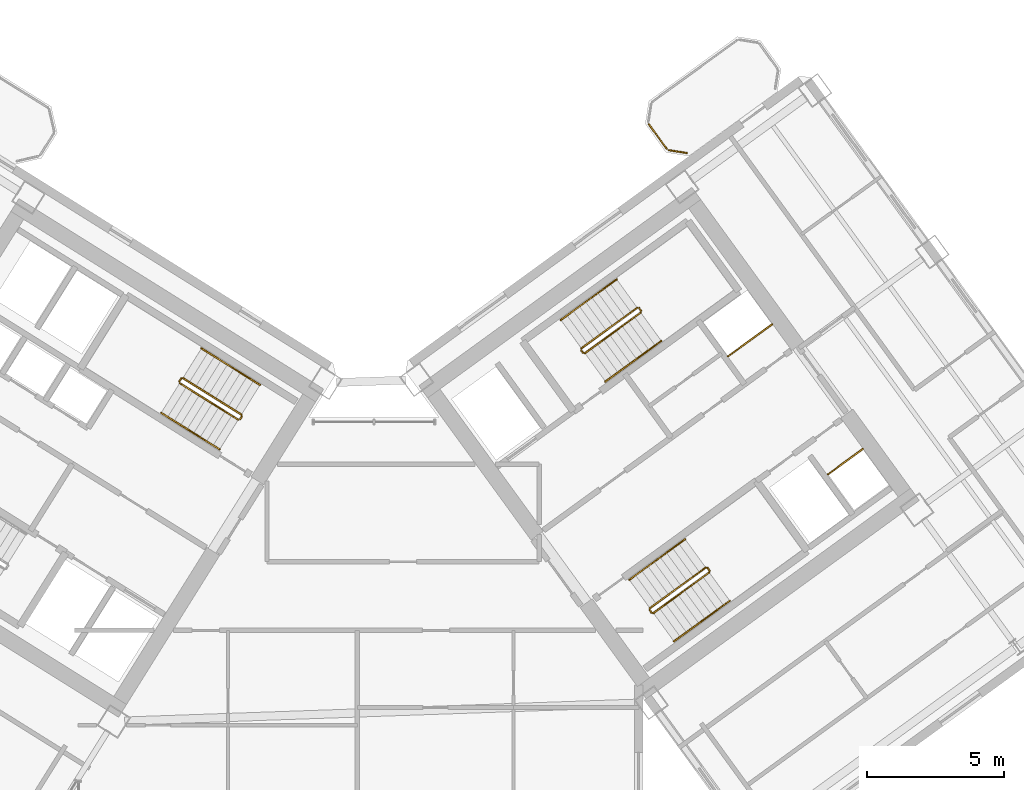
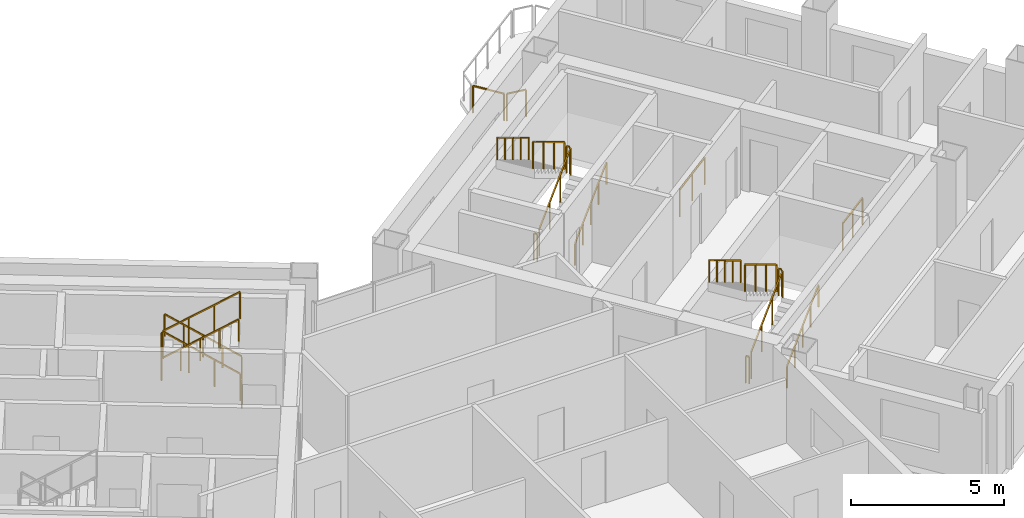
# One storey, part 24 of 25: 28 railings.
"""IFC4 building model written with IfcOpenShell, lengths in metres."""

from ifc_helpers import new_model, si_unit, direction, frame, origin, origin_2d, place, context, subcontext, project, spatial, rectangle, extrude, source, transform, mapped, material, type_object, element, save


model = new_model("IFC4")

# Units and contexts
model_context = context("Model", 3, precision=1e-05, world=origin(), true_north=direction((0.0, 1.0)))
body_context = subcontext(model_context, "Body", "Model", "MODEL_VIEW")
ifc_project = project(units=[si_unit("LENGTHUNIT", "METRE"), si_unit("AREAUNIT", "SQUARE_METRE"), si_unit("VOLUMEUNIT", "CUBIC_METRE"), si_unit("PLANEANGLEUNIT", "RADIAN"), si_unit("MASSUNIT", "GRAM", prefix="KILO")], contexts=[model_context])

# Site, building, storey
site_placement = place(None, origin())
site = spatial("IfcSite", under=ifc_project, at=site_placement, CompositionType="ELEMENT")
building_placement = place(site_placement, origin())
building = spatial("IfcBuilding", under=site, at=building_placement, Name="Tlacorven Tower", CompositionType="ELEMENT")
storey_placement = place(building_placement, frame((0.0, 0.0, 162.300048828125)))
storey = spatial("IfcBuildingStorey", under=building, at=storey_placement, Name="L41", CompositionType="ELEMENT", Elevation=162.300048828125)

# Railings
ifc_material = material(Name="Aluminium and painted steel balustrade", Category="steel")
railing_type_1 = type_object("IfcRailingType", Name="RL-GRD-1100", PredefinedType="GUARDRAIL", material=ifc_material)
shared_shape_1 = source(origin(), body_context, "Body", "SweptSolid", [
    extrude(rectangle(XDim=0.048095703125, YDim=0.048095703125, at=origin_2d()), frame((0.0, 0.0, 1.076171875), z_axis=(0.808947177504, 0.587881334972, 0.0), x_axis=(-0.587881334972, 0.808947177504, 0.0)), (0.0, 0.0, 1.0), 2.0),
    extrude(rectangle(XDim=0.0419921875, YDim=0.0419921875, at=origin_2d()), origin(), (0.0, 0.0, 1.0), 1.052001953125),
    extrude(rectangle(XDim=0.0419921875, YDim=0.0419921875, at=origin_2d()), frame((0.80908203125, 0.587890625, 0.0)), (0.0, 0.0, 1.0), 1.052001953125),
    extrude(rectangle(XDim=0.0419921875, YDim=0.0419921875, at=origin_2d()), frame((1.617919921875, 1.17578125, 0.0)), (0.0, 0.0, 1.0), 1.052001953125),
])
railing_1_placement = place(storey_placement, frame((55.506103515625, 25.438232421875, 0.0)))
element("IfcRailing", 1, at=railing_1_placement, inside=storey, type_object=railing_type_1, Name="L41 Electrical Riser E Shaft Guard 1", PredefinedType="GUARDRAIL", context=body_context, shape_type="MappedRepresentation", body=[
    mapped(shared_shape_1, transform((0.0, 0.0, 0.0), scale=1.0)),
])
shared_shape_2 = source(origin(), body_context, "Body", "SweptSolid", [
    extrude(rectangle(XDim=0.048095703125, YDim=0.048095703125, at=origin_2d()), frame((0.0, 0.0, 1.076171875), z_axis=(0.809029975545, 0.58776738483, 0.0), x_axis=(-0.58776738483, 0.809029975545, 0.0)), (0.0, 0.0, 1.0), 1.580078125),
    extrude(rectangle(XDim=0.0419921875, YDim=0.0419921875, at=origin_2d()), origin(), (0.0, 0.0, 1.0), 1.052001953125),
    extrude(rectangle(XDim=0.0419921875, YDim=0.0419921875, at=origin_2d()), frame((0.63916015625, 0.46435546875, 0.0)), (0.0, 0.0, 1.0), 1.052001953125),
    extrude(rectangle(XDim=0.0419921875, YDim=0.0419921875, at=origin_2d()), frame((1.2783203125, 0.9287109375, 0.0)), (0.0, 0.0, 1.0), 1.052001953125),
])
railing_2_placement = place(storey_placement, frame((59.160888671875, 21.122314453125, 0.0)))
element("IfcRailing", 2, at=railing_2_placement, inside=storey, type_object=railing_type_1, Name="L41 Smoke Riser E Shaft Guard 1", PredefinedType="GUARDRAIL", context=body_context, shape_type="MappedRepresentation", body=[
    mapped(shared_shape_2, transform((0.0, 0.0, 0.0), scale=1.0)),
])
railing_type_2 = type_object("IfcRailingType", Name="RL-BAL-1100", PredefinedType="BALUSTRADE", material=ifc_material)
shared_shape_3 = source(origin(), body_context, "Body", "SweptSolid", [
    extrude(rectangle(XDim=0.048095703125, YDim=0.048095703125, at=origin_2d()), frame((0.0, 0.0, 1.076171875), z_axis=(-0.987718317463, 0.156245081039, 0.0), x_axis=(-0.156245081039, -0.987718317463, 0.0)), (0.0, 0.0, 1.0), 0.66552734375),
    extrude(rectangle(XDim=0.0419921875, YDim=0.0419921875, at=origin_2d()), origin(), (0.0, 0.0, 1.0), 1.052001953125),
    extrude(rectangle(XDim=0.0419921875, YDim=0.0419921875, at=origin_2d()), frame((-0.657470703125, 0.10400390625, 0.0)), (0.0, 0.0, 1.0), 1.052001953125),
])
railing_3_placement = place(storey_placement, frame((54.00341796875, 32.8759765625, 0.0)))
element("IfcRailing", 3, at=railing_3_placement, inside=storey, type_object=railing_type_2, Name="BAL-L41-E-IN Guard Railing 1", PredefinedType="BALUSTRADE", context=body_context, shape_type="MappedRepresentation", body=[
    mapped(shared_shape_3, transform((0.0, 0.0, 0.0), scale=1.0)),
])
shared_shape_4 = source(origin(), body_context, "Body", "SweptSolid", [
    extrude(rectangle(XDim=0.048095703125, YDim=0.048095703125, at=origin_2d()), frame((0.0, 0.0, 1.076171875), z_axis=(-0.587740817519, 0.809049276263, 0.0), x_axis=(-0.809049276263, -0.587740817519, 0.0)), (0.0, 0.0, 1.0), 1.112060546875),
    extrude(rectangle(XDim=0.0419921875, YDim=0.0419921875, at=origin_2d()), origin(), (0.0, 0.0, 1.0), 1.052001953125),
    extrude(rectangle(XDim=0.0419921875, YDim=0.0419921875, at=origin_2d()), frame((-0.653564453125, 0.899658203125, 0.0)), (0.0, 0.0, 1.0), 1.052001953125),
])
railing_4_placement = place(storey_placement, frame((53.26708984375, 33.0283203125, 0.0)))
element("IfcRailing", 4, at=railing_4_placement, inside=storey, type_object=railing_type_2, Name="BAL-L41-E-IN Guard Railing 2", PredefinedType="BALUSTRADE", context=body_context, shape_type="MappedRepresentation", body=[
    mapped(shared_shape_4, transform((0.0, 0.0, 0.0), scale=1.0)),
])
shared_shape_5 = source(origin(), body_context, "Body", "SweptSolid", [
    extrude(rectangle(XDim=0.048095703125, YDim=0.048095703125, at=origin_2d()), frame((0.0, 0.0, 1.076171875), z_axis=(-0.713319727316, 0.445773895627, 0.540796265334), x_axis=(-0.529955395941, -0.84802551749, 0.0)), (0.0, 0.0, 1.0), 2.995849609375),
    extrude(rectangle(XDim=0.0419921875, YDim=0.0419921875, at=origin_2d()), origin(), (0.0, 0.0, 1.0), 1.052001953125),
    extrude(rectangle(XDim=0.0419921875, YDim=0.0419921875, at=origin_2d()), frame((-0.71240234375, 0.445068359375, 0.5400390625)), (0.0, 0.0, 1.0), 1.052001953125),
    extrude(rectangle(XDim=0.0419921875, YDim=0.0419921875, at=origin_2d()), frame((-1.424560546875, 0.890380859375, 1.080078125)), (0.0, 0.0, 1.0), 1.052001953125),
    extrude(rectangle(XDim=0.0419921875, YDim=0.0419921875, at=origin_2d()), frame((-2.136962890625, 1.33544921875, 1.6201171875)), (0.0, 0.0, 1.0), 1.052001953125),
])
railing_5_placement = place(storey_placement, frame((37.712158203125, 23.3095703125, 0.179931640625)))
element("IfcRailing", 5, at=railing_5_placement, inside=storey, type_object=railing_type_1, Name="L41 ST-W2 stair guard 1", PredefinedType="GUARDRAIL", context=body_context, shape_type="MappedRepresentation", body=[
    mapped(shared_shape_5, transform((0.0, 0.0, 0.0), scale=1.0)),
])
shared_shape_6 = source(origin(), body_context, "Body", "SweptSolid", [
    extrude(rectangle(XDim=0.048095703125, YDim=0.048095703125, at=origin_2d()), frame((0.0, 0.0, 1.076171875), z_axis=(-0.530546985787, -0.847655529016, 0.0), x_axis=(0.847655529016, -0.530546985787, 0.0)), (0.0, 0.0, 1.0), 0.1201171875),
    extrude(rectangle(XDim=0.0419921875, YDim=0.0419921875, at=origin_2d()), origin(), (0.0, 0.0, 1.0), 1.052001953125),
    extrude(rectangle(XDim=0.0419921875, YDim=0.0419921875, at=origin_2d()), frame((-0.063720703125, -0.101806640625, 0.0)), (0.0, 0.0, 1.0), 1.052001953125),
])
railing_6_placement = place(storey_placement, frame((37.728271484375, 23.24072265625, 0.0)))
element("IfcRailing", 6, at=railing_6_placement, inside=storey, type_object=railing_type_1, Name="L41 ST-W2 stair guard 4", PredefinedType="GUARDRAIL", context=body_context, shape_type="MappedRepresentation", body=[
    mapped(shared_shape_6, transform((0.0, 0.0, 0.0), scale=1.0)),
])
railing_type_3 = type_object("IfcRailingType", Name="RL-HND-0900", PredefinedType="HANDRAIL", material=ifc_material)
shared_shape_7 = source(origin(), body_context, "Body", "SweptSolid", [
    extrude(rectangle(XDim=0.048095703125, YDim=0.048095703125, at=origin_2d()), frame((0.0, 0.0, 0.8759765625), z_axis=(-0.713359751793, 0.4457479829, 0.540764828981), x_axis=(-0.529911857636, -0.848052724267, 0.0)), (0.0, 0.0, 1.0), 1.498046875),
    extrude(rectangle(XDim=0.0419921875, YDim=0.0419921875, at=origin_2d()), origin(), (0.0, 0.0, 1.0), 0.851806640625),
    extrude(rectangle(XDim=0.0419921875, YDim=0.0419921875, at=origin_2d()), frame((-0.5341796875, 0.333984375, 0.405029296875)), (0.0, 0.0, 1.0), 0.851806640625),
    extrude(rectangle(XDim=0.0419921875, YDim=0.0419921875, at=origin_2d()), frame((-1.068603515625, 0.667724609375, 0.81005859375)), (0.0, 0.0, 1.0), 0.851806640625),
])
for number, where, name in (
    (7, (38.390625, 24.39501953125, 0.179931640625), "L41 ST-W2 stair handrail 1"),
    (8, (37.322021484375, 25.062744140625, 0.989990234375), "L41 ST-W2 stair handrail 2"),
):
    element("IfcRailing", number, at=place(storey_placement, frame(where)), inside=storey, type_object=railing_type_3, Name=name, PredefinedType="HANDRAIL", context=body_context, shape_type="MappedRepresentation", body=[
        mapped(shared_shape_7, transform((0.0, 0.0, 0.0), scale=1.0)),
    ])
shared_shape_8 = source(origin(), body_context, "Body", "SweptSolid", [
    extrude(rectangle(XDim=0.048095703125, YDim=0.048095703125, at=origin_2d()), frame((0.0, 0.0, 0.8759765625), z_axis=(0.713359751793, -0.4457479829, 0.540764828981), x_axis=(0.529911857636, 0.848052724267, 0.0)), (0.0, 0.0, 1.0), 1.498046875),
    extrude(rectangle(XDim=0.0419921875, YDim=0.0419921875, at=origin_2d()), origin(), (0.0, 0.0, 1.0), 0.851806640625),
    extrude(rectangle(XDim=0.0419921875, YDim=0.0419921875, at=origin_2d()), frame((0.5341796875, -0.333984375, 0.405029296875)), (0.0, 0.0, 1.0), 0.851806640625),
    extrude(rectangle(XDim=0.0419921875, YDim=0.0419921875, at=origin_2d()), frame((1.068603515625, -0.667724609375, 0.81005859375)), (0.0, 0.0, 1.0), 0.851806640625),
])
railing_7_placement = place(storey_placement, frame((34.7802734375, 23.372802734375, 1.97998046875)))
element("IfcRailing", 9, at=railing_7_placement, inside=storey, type_object=railing_type_3, Name="L41 ST-W2 stair handrail 3", PredefinedType="HANDRAIL", context=body_context, shape_type="MappedRepresentation", body=[
    mapped(shared_shape_8, transform((0.0, 0.0, 0.0), scale=1.0)),
])
shared_shape_9 = source(origin(), body_context, "Body", "SweptSolid", [
    extrude(rectangle(XDim=0.048095703125, YDim=0.048095703125, at=origin_2d()), frame((0.0, 0.0, 0.8759765625), z_axis=(0.713422621445, -0.445787267455, 0.540649494022), x_axis=(0.529911857636, 0.848052724267, 0.0)), (0.0, 0.0, 1.0), 1.497802734375),
    extrude(rectangle(XDim=0.0419921875, YDim=0.0419921875, at=origin_2d()), origin(), (0.0, 0.0, 1.0), 0.851806640625),
    extrude(rectangle(XDim=0.0419921875, YDim=0.0419921875, at=origin_2d()), frame((0.5341796875, -0.333984375, 0.40478515625)), (0.0, 0.0, 1.0), 0.851806640625),
    extrude(rectangle(XDim=0.0419921875, YDim=0.0419921875, at=origin_2d()), frame((1.068603515625, -0.667724609375, 0.809814453125)), (0.0, 0.0, 1.0), 0.851806640625),
])
railing_8_placement = place(storey_placement, frame((35.848876953125, 22.705078125, 2.7900390625)))
element("IfcRailing", 10, at=railing_8_placement, inside=storey, type_object=railing_type_3, Name="L41 ST-W2 stair handrail 4", PredefinedType="HANDRAIL", context=body_context, shape_type="MappedRepresentation", body=[
    mapped(shared_shape_9, transform((0.0, 0.0, 0.0), scale=1.0)),
])
shared_shape_10 = source(origin(), body_context, "Body", "SweptSolid", [
    extrude(rectangle(XDim=0.048095703125, YDim=0.048095703125, at=origin_2d()), frame((0.0, 0.0, 1.076171875), z_axis=(-0.531462422766, -0.847081869236, 0.0), x_axis=(0.847081869236, -0.531462422766, 0.0)), (0.0, 0.0, 1.0), 0.119873046875),
    extrude(rectangle(XDim=0.0419921875, YDim=0.0419921875, at=origin_2d()), origin(), (0.0, 0.0, 1.0), 1.052001953125),
    extrude(rectangle(XDim=0.0419921875, YDim=0.0419921875, at=origin_2d()), frame((-0.063720703125, -0.1015625, 0.0)), (0.0, 0.0, 1.0), 1.052001953125),
])
railing_9_placement = place(storey_placement, frame((35.50634765625, 24.62890625, 1.800048828125)))
element("IfcRailing", 11, at=railing_9_placement, inside=storey, type_object=railing_type_1, Name="L41 ST-W2 stair guard 2", PredefinedType="GUARDRAIL", context=body_context, shape_type="MappedRepresentation", body=[
    mapped(shared_shape_10, transform((0.0, 0.0, 0.0), scale=1.0)),
])
shared_shape_11 = source(origin(), body_context, "Body", "SweptSolid", [
    extrude(rectangle(XDim=0.048095703125, YDim=0.048095703125, at=origin_2d()), frame((0.0, 0.0, 1.076171875), z_axis=(0.713417101326, -0.445702322042, 0.540726806865), x_axis=(0.52984217967, 0.848096259066, 0.0)), (0.0, 0.0, 1.0), 2.995849609375),
    extrude(rectangle(XDim=0.0419921875, YDim=0.0419921875, at=origin_2d()), origin(), (0.0, 0.0, 1.0), 1.052001953125),
    extrude(rectangle(XDim=0.0419921875, YDim=0.0419921875, at=origin_2d()), frame((0.71240234375, -0.445068359375, 0.5400390625)), (0.0, 0.0, 1.0), 1.052001953125),
    extrude(rectangle(XDim=0.0419921875, YDim=0.0419921875, at=origin_2d()), frame((1.4248046875, -0.89013671875, 1.079833984375)), (0.0, 0.0, 1.0), 1.052001953125),
    extrude(rectangle(XDim=0.0419921875, YDim=0.0419921875, at=origin_2d()), frame((2.13720703125, -1.335205078125, 1.619873046875)), (0.0, 0.0, 1.0), 1.052001953125),
])
railing_10_placement = place(storey_placement, frame((35.45849609375, 24.458251953125, 1.97998046875)))
element("IfcRailing", 12, at=railing_10_placement, inside=storey, type_object=railing_type_1, Name="L41 ST-W2 stair guard 3", PredefinedType="GUARDRAIL", context=body_context, shape_type="MappedRepresentation", body=[
    mapped(shared_shape_11, transform((0.0, 0.0, 0.0), scale=1.0)),
])
shared_shape_12 = source(origin(), body_context, "Body", "SweptSolid", [
    extrude(rectangle(XDim=0.048095703125, YDim=0.048095703125, at=origin_2d()), frame((0.0, 0.0, 1.076171875), z_axis=(-0.587567097037, 0.809175448515, 0.0), x_axis=(-0.809175448515, -0.587567097037, 0.0)), (0.0, 0.0, 1.0), 0.1201171875),
    extrude(rectangle(XDim=0.0419921875, YDim=0.0419921875, at=origin_2d()), origin(), (0.0, 0.0, 1.0), 1.052001953125),
    extrude(rectangle(XDim=0.0419921875, YDim=0.0419921875, at=origin_2d()), frame((-0.070556640625, 0.09716796875, 0.0)), (0.0, 0.0, 1.0), 1.052001953125),
])
for number, where, name in (
    (13, (54.8310546875, 17.605712890625, 1.800048828125), "L41 ST-E2 stair guard 2"),
    (14, (52.71142578125, 16.065673828125, 0.0), "L41 ST-E2 stair guard 4"),
):
    element("IfcRailing", number, at=place(storey_placement, frame(where)), inside=storey, type_object=railing_type_1, Name=name, PredefinedType="GUARDRAIL", context=body_context, shape_type="MappedRepresentation", body=[
        mapped(shared_shape_12, transform((0.0, 0.0, 0.0), scale=1.0)),
    ])
shared_shape_13 = source(origin(), body_context, "Body", "SweptSolid", [
    extrude(rectangle(XDim=0.048095703125, YDim=0.048095703125, at=origin_2d()), frame((0.0, 0.0, 1.076171875), z_axis=(-0.587201422542, 0.809440849824, 0.0), x_axis=(-0.809440849824, -0.587201422542, 0.0)), (0.0, 0.0, 1.0), 0.11962890625),
    extrude(rectangle(XDim=0.0419921875, YDim=0.0419921875, at=origin_2d()), origin(), (0.0, 0.0, 1.0), 1.052001953125),
    extrude(rectangle(XDim=0.0419921875, YDim=0.0419921875, at=origin_2d()), frame((-0.0703125, 0.096923828125, 0.0)), (0.0, 0.0, 1.0), 1.052001953125),
])
for number, where, name in (
    (15, (52.326904296875, 27.10888671875, 1.800048828125), "L41 ST-E1 stair guard 2"),
    (16, (50.207275390625, 25.56884765625, 0.0), "L41 ST-E1 stair guard 4"),
):
    element("IfcRailing", number, at=place(storey_placement, frame(where)), inside=storey, type_object=railing_type_1, Name=name, PredefinedType="GUARDRAIL", context=body_context, shape_type="MappedRepresentation", body=[
        mapped(shared_shape_13, transform((0.0, 0.0, 0.0), scale=1.0)),
    ])
shared_shape_14 = source(origin(), body_context, "Body", "SweptSolid", [
    extrude(rectangle(XDim=0.048095703125, YDim=0.048095703125, at=origin_2d()), frame((0.0, 0.0, 1.076171875), z_axis=(0.680488636597, 0.494434078831, 0.540805100894), x_axis=(-0.5878087079, 0.808999952359, 0.0)), (0.0, 0.0, 1.0), 2.995849609375),
    extrude(rectangle(XDim=0.0419921875, YDim=0.0419921875, at=origin_2d()), origin(), (0.0, 0.0, 1.0), 1.052001953125),
    extrude(rectangle(XDim=0.0419921875, YDim=0.0419921875, at=origin_2d()), frame((0.679443359375, 0.49365234375, 0.5400390625)), (0.0, 0.0, 1.0), 1.052001953125),
    extrude(rectangle(XDim=0.0419921875, YDim=0.0419921875, at=origin_2d()), frame((1.359130859375, 0.987548828125, 1.080078125)), (0.0, 0.0, 1.0), 1.052001953125),
    extrude(rectangle(XDim=0.0419921875, YDim=0.0419921875, at=origin_2d()), frame((2.03857421875, 1.481201171875, 1.6201171875)), (0.0, 0.0, 1.0), 1.052001953125),
])
railing_11_placement = place(storey_placement, frame((50.27734375, 25.557861328125, 0.179931640625)))
element("IfcRailing", 17, at=railing_11_placement, inside=storey, type_object=railing_type_1, Name="L41 ST-E1 stair guard 1", PredefinedType="GUARDRAIL", context=body_context, shape_type="MappedRepresentation", body=[
    mapped(shared_shape_14, transform((0.0, 0.0, 0.0), scale=1.0)),
])
shared_shape_15 = source(origin(), body_context, "Body", "SweptSolid", [
    extrude(rectangle(XDim=0.048095703125, YDim=0.048095703125, at=origin_2d()), frame((0.0, 0.0, 0.8759765625), z_axis=(0.680516055757, 0.494372502302, 0.540826891737), x_axis=(-0.587745292299, 0.809046025502, 0.0)), (0.0, 0.0, 1.0), 1.497802734375),
    extrude(rectangle(XDim=0.0419921875, YDim=0.0419921875, at=origin_2d()), origin(), (0.0, 0.0, 1.0), 0.851806640625),
    extrude(rectangle(XDim=0.0419921875, YDim=0.0419921875, at=origin_2d()), frame((0.509765625, 0.3701171875, 0.405029296875)), (0.0, 0.0, 1.0), 0.851806640625),
    extrude(rectangle(XDim=0.0419921875, YDim=0.0419921875, at=origin_2d()), frame((1.019287109375, 0.740478515625, 0.81005859375)), (0.0, 0.0, 1.0), 0.851806640625),
])
for number, where, name in (
    (18, (51.029541015625, 24.522216796875, 0.179931640625), "L41 ST-E1 stair handrail 1"),
    (19, (54.552978515625, 15.759765625, 0.989990234375), "L41 ST-E2 stair handrail 2"),
):
    element("IfcRailing", number, at=place(storey_placement, frame(where)), inside=storey, type_object=railing_type_3, Name=name, PredefinedType="HANDRAIL", context=body_context, shape_type="MappedRepresentation", body=[
        mapped(shared_shape_15, transform((0.0, 0.0, 0.0), scale=1.0)),
    ])
shared_shape_16 = source(origin(), body_context, "Body", "SweptSolid", [
    extrude(rectangle(XDim=0.048095703125, YDim=0.048095703125, at=origin_2d()), frame((0.0, 0.0, 0.8759765625), z_axis=(0.680548719995, 0.49444080854, 0.540723336433), x_axis=(-0.587779977844, 0.80902082646, 0.0)), (0.0, 0.0, 1.0), 1.498046875),
    extrude(rectangle(XDim=0.0419921875, YDim=0.0419921875, at=origin_2d()), origin(), (0.0, 0.0, 1.0), 0.851806640625),
    extrude(rectangle(XDim=0.0419921875, YDim=0.0419921875, at=origin_2d()), frame((0.509765625, 0.370361328125, 0.405029296875)), (0.0, 0.0, 1.0), 0.851806640625),
    extrude(rectangle(XDim=0.0419921875, YDim=0.0419921875, at=origin_2d()), frame((1.01953125, 0.74072265625, 0.81005859375)), (0.0, 0.0, 1.0), 0.851806640625),
])
railing_12_placement = place(storey_placement, frame((52.048828125, 25.2626953125, 0.989990234375)))
element("IfcRailing", 20, at=railing_12_placement, inside=storey, type_object=railing_type_3, Name="L41 ST-E1 stair handrail 2", PredefinedType="HANDRAIL", context=body_context, shape_type="MappedRepresentation", body=[
    mapped(shared_shape_16, transform((0.0, 0.0, 0.0), scale=1.0)),
])
shared_shape_17 = source(origin(), body_context, "Body", "SweptSolid", [
    extrude(rectangle(XDim=0.048095703125, YDim=0.048095703125, at=origin_2d()), frame((0.0, 0.0, 0.8759765625), z_axis=(-0.680603554404, -0.494317667746, 0.540766904577), x_axis=(0.587653156371, -0.809112951205, 0.0)), (0.0, 0.0, 1.0), 1.498046875),
    extrude(rectangle(XDim=0.0419921875, YDim=0.0419921875, at=origin_2d()), origin(), (0.0, 0.0, 1.0), 0.851806640625),
    extrude(rectangle(XDim=0.0419921875, YDim=0.0419921875, at=origin_2d()), frame((-0.509765625, -0.3701171875, 0.405029296875)), (0.0, 0.0, 1.0), 0.851806640625),
    extrude(rectangle(XDim=0.0419921875, YDim=0.0419921875, at=origin_2d()), frame((-1.01953125, -0.740478515625, 0.81005859375)), (0.0, 0.0, 1.0), 0.851806640625),
])
railing_13_placement = place(storey_placement, frame((51.434326171875, 28.25244140625, 1.97998046875)))
element("IfcRailing", 21, at=railing_13_placement, inside=storey, type_object=railing_type_3, Name="L41 ST-E1 stair handrail 3", PredefinedType="HANDRAIL", context=body_context, shape_type="MappedRepresentation", body=[
    mapped(shared_shape_17, transform((0.0, 0.0, 0.0), scale=1.0)),
])
shared_shape_18 = source(origin(), body_context, "Body", "SweptSolid", [
    extrude(rectangle(XDim=0.048095703125, YDim=0.048095703125, at=origin_2d()), frame((0.0, 0.0, 1.076171875), z_axis=(-0.680518627673, -0.494455869951, 0.540747436481), x_axis=(0.5878087079, -0.808999952359, 0.0)), (0.0, 0.0, 1.0), 2.99560546875),
    extrude(rectangle(XDim=0.0419921875, YDim=0.0419921875, at=origin_2d()), origin(), (0.0, 0.0, 1.0), 1.052001953125),
    extrude(rectangle(XDim=0.0419921875, YDim=0.0419921875, at=origin_2d()), frame((-0.679443359375, -0.49365234375, 0.5400390625)), (0.0, 0.0, 1.0), 1.052001953125),
    extrude(rectangle(XDim=0.0419921875, YDim=0.0419921875, at=origin_2d()), frame((-1.359130859375, -0.987548828125, 1.079833984375)), (0.0, 0.0, 1.0), 1.052001953125),
    extrude(rectangle(XDim=0.0419921875, YDim=0.0419921875, at=origin_2d()), frame((-2.03857421875, -1.481201171875, 1.619873046875)), (0.0, 0.0, 1.0), 1.052001953125),
])
railing_14_placement = place(storey_placement, frame((52.1865234375, 27.217041015625, 1.97998046875)))
element("IfcRailing", 22, at=railing_14_placement, inside=storey, type_object=railing_type_1, Name="L41 ST-E1 stair guard 3", PredefinedType="GUARDRAIL", context=body_context, shape_type="MappedRepresentation", body=[
    mapped(shared_shape_18, transform((0.0, 0.0, 0.0), scale=1.0)),
])
shared_shape_19 = source(origin(), body_context, "Body", "SweptSolid", [
    extrude(rectangle(XDim=0.048095703125, YDim=0.048095703125, at=origin_2d()), frame((0.0, 0.0, 0.8759765625), z_axis=(-0.680521190579, -0.494539231669, 0.540667973449), x_axis=(0.587872112667, -0.808953879494, 0.0)), (0.0, 0.0, 1.0), 1.497802734375),
    extrude(rectangle(XDim=0.0419921875, YDim=0.0419921875, at=origin_2d()), origin(), (0.0, 0.0, 1.0), 0.851806640625),
    extrude(rectangle(XDim=0.0419921875, YDim=0.0419921875, at=origin_2d()), frame((-0.509765625, -0.370361328125, 0.40478515625)), (0.0, 0.0, 1.0), 0.851806640625),
    extrude(rectangle(XDim=0.0419921875, YDim=0.0419921875, at=origin_2d()), frame((-1.019287109375, -0.74072265625, 0.809814453125)), (0.0, 0.0, 1.0), 0.851806640625),
])
for number, where, name in (
    (23, (50.414794921875, 27.511962890625, 2.7900390625), "L41 ST-E1 stair handrail 4"),
    (24, (52.9189453125, 18.0087890625, 2.7900390625), "L41 ST-E2 stair handrail 4"),
):
    element("IfcRailing", number, at=place(storey_placement, frame(where)), inside=storey, type_object=railing_type_3, Name=name, PredefinedType="HANDRAIL", context=body_context, shape_type="MappedRepresentation", body=[
        mapped(shared_shape_19, transform((0.0, 0.0, 0.0), scale=1.0)),
    ])
shared_shape_20 = source(origin(), body_context, "Body", "SweptSolid", [
    extrude(rectangle(XDim=0.048095703125, YDim=0.048095703125, at=origin_2d()), frame((0.0, 0.0, 1.076171875), z_axis=(0.680532390839, 0.494406659708, 0.54077511024), x_axis=(-0.587762637553, 0.809033424462, 0.0)), (0.0, 0.0, 1.0), 2.995849609375),
    extrude(rectangle(XDim=0.0419921875, YDim=0.0419921875, at=origin_2d()), origin(), (0.0, 0.0, 1.0), 1.052001953125),
    extrude(rectangle(XDim=0.0419921875, YDim=0.0419921875, at=origin_2d()), frame((0.6796875, 0.49365234375, 0.5400390625)), (0.0, 0.0, 1.0), 1.052001953125),
    extrude(rectangle(XDim=0.0419921875, YDim=0.0419921875, at=origin_2d()), frame((1.359130859375, 0.987548828125, 1.080078125)), (0.0, 0.0, 1.0), 1.052001953125),
    extrude(rectangle(XDim=0.0419921875, YDim=0.0419921875, at=origin_2d()), frame((2.038818359375, 1.481201171875, 1.6201171875)), (0.0, 0.0, 1.0), 1.052001953125),
])
railing_15_placement = place(storey_placement, frame((52.78125, 16.0546875, 0.179931640625)))
element("IfcRailing", 25, at=railing_15_placement, inside=storey, type_object=railing_type_1, Name="L41 ST-E2 stair guard 1", PredefinedType="GUARDRAIL", context=body_context, shape_type="MappedRepresentation", body=[
    mapped(shared_shape_20, transform((0.0, 0.0, 0.0), scale=1.0)),
])
shared_shape_21 = source(origin(), body_context, "Body", "SweptSolid", [
    extrude(rectangle(XDim=0.048095703125, YDim=0.048095703125, at=origin_2d()), frame((0.0, 0.0, 0.8759765625), z_axis=(0.680461216233, 0.494495647917, 0.540783309093), x_axis=(-0.587872112667, 0.808953879494, 0.0)), (0.0, 0.0, 1.0), 1.498046875),
    extrude(rectangle(XDim=0.0419921875, YDim=0.0419921875, at=origin_2d()), origin(), (0.0, 0.0, 1.0), 0.851806640625),
    extrude(rectangle(XDim=0.0419921875, YDim=0.0419921875, at=origin_2d()), frame((0.509765625, 0.370361328125, 0.405029296875)), (0.0, 0.0, 1.0), 0.851806640625),
    extrude(rectangle(XDim=0.0419921875, YDim=0.0419921875, at=origin_2d()), frame((1.019287109375, 0.74072265625, 0.81005859375)), (0.0, 0.0, 1.0), 0.851806640625),
])
railing_16_placement = place(storey_placement, frame((53.53369140625, 15.01904296875, 0.179931640625)))
element("IfcRailing", 26, at=railing_16_placement, inside=storey, type_object=railing_type_3, Name="L41 ST-E2 stair handrail 1", PredefinedType="HANDRAIL", context=body_context, shape_type="MappedRepresentation", body=[
    mapped(shared_shape_21, transform((0.0, 0.0, 0.0), scale=1.0)),
])
shared_shape_22 = source(origin(), body_context, "Body", "SweptSolid", [
    extrude(rectangle(XDim=0.048095703125, YDim=0.048095703125, at=origin_2d()), frame((0.0, 0.0, 0.8759765625), z_axis=(-0.680516055757, -0.494372502302, 0.540826891737), x_axis=(0.587745292299, -0.809046025502, 0.0)), (0.0, 0.0, 1.0), 1.497802734375),
    extrude(rectangle(XDim=0.0419921875, YDim=0.0419921875, at=origin_2d()), origin(), (0.0, 0.0, 1.0), 0.851806640625),
    extrude(rectangle(XDim=0.0419921875, YDim=0.0419921875, at=origin_2d()), frame((-0.509765625, -0.3701171875, 0.405029296875)), (0.0, 0.0, 1.0), 0.851806640625),
    extrude(rectangle(XDim=0.0419921875, YDim=0.0419921875, at=origin_2d()), frame((-1.019287109375, -0.740478515625, 0.81005859375)), (0.0, 0.0, 1.0), 0.851806640625),
])
railing_17_placement = place(storey_placement, frame((53.938232421875, 18.749267578125, 1.97998046875)))
element("IfcRailing", 27, at=railing_17_placement, inside=storey, type_object=railing_type_3, Name="L41 ST-E2 stair handrail 3", PredefinedType="HANDRAIL", context=body_context, shape_type="MappedRepresentation", body=[
    mapped(shared_shape_22, transform((0.0, 0.0, 0.0), scale=1.0)),
])
shared_shape_23 = source(origin(), body_context, "Body", "SweptSolid", [
    extrude(rectangle(XDim=0.048095703125, YDim=0.048095703125, at=origin_2d()), frame((0.0, 0.0, 1.076171875), z_axis=(-0.680562380517, -0.494428447203, 0.540717446381), x_axis=(0.587762637553, -0.809033424462, 0.0)), (0.0, 0.0, 1.0), 2.995849609375),
    extrude(rectangle(XDim=0.0419921875, YDim=0.0419921875, at=origin_2d()), origin(), (0.0, 0.0, 1.0), 1.052001953125),
    extrude(rectangle(XDim=0.0419921875, YDim=0.0419921875, at=origin_2d()), frame((-0.6796875, -0.49365234375, 0.5400390625)), (0.0, 0.0, 1.0), 1.052001953125),
    extrude(rectangle(XDim=0.0419921875, YDim=0.0419921875, at=origin_2d()), frame((-1.359130859375, -0.987548828125, 1.079833984375)), (0.0, 0.0, 1.0), 1.052001953125),
    extrude(rectangle(XDim=0.0419921875, YDim=0.0419921875, at=origin_2d()), frame((-2.038818359375, -1.481201171875, 1.619873046875)), (0.0, 0.0, 1.0), 1.052001953125),
])
railing_18_placement = place(storey_placement, frame((54.690673828125, 17.7138671875, 1.97998046875)))
element("IfcRailing", 28, at=railing_18_placement, inside=storey, type_object=railing_type_1, Name="L41 ST-E2 stair guard 3", PredefinedType="GUARDRAIL", context=body_context, shape_type="MappedRepresentation", body=[
    mapped(shared_shape_23, transform((0.0, 0.0, 0.0), scale=1.0)),
])

save(model, "model.ifc")
